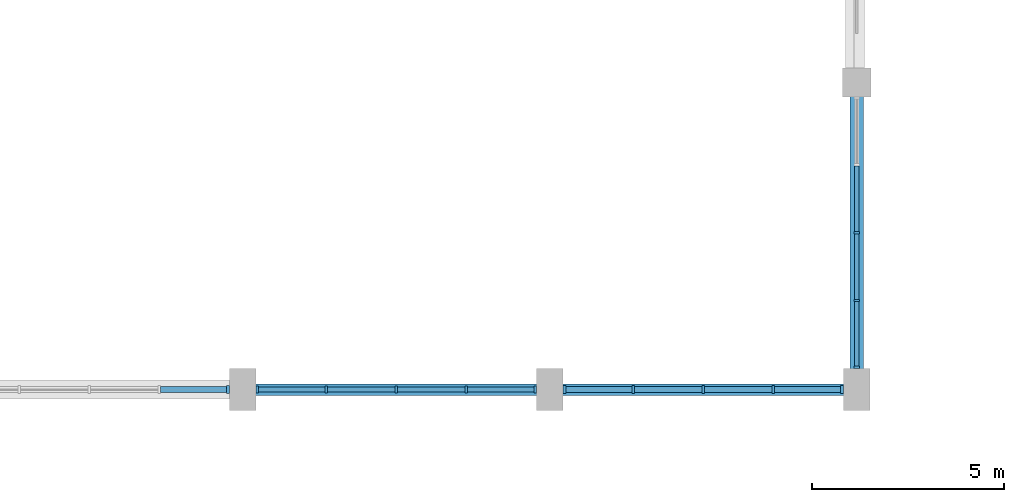
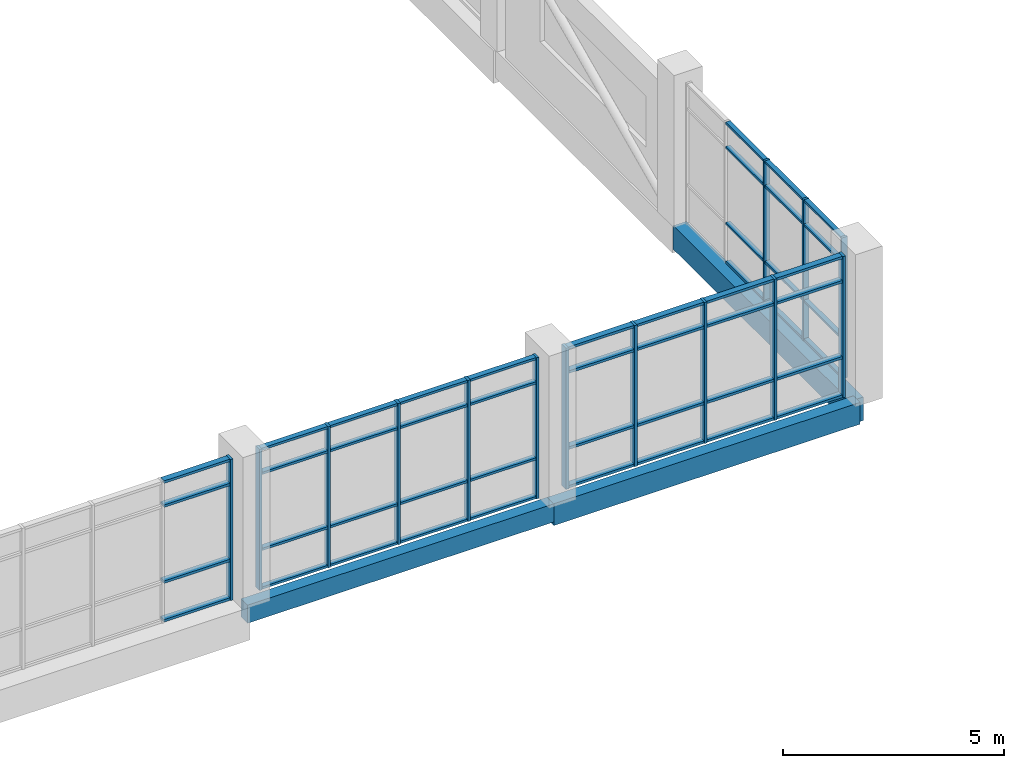
# One storey, part 5 of 72: 62 members, 3 beams, 4 elements without a shape of their own.
"""IFC4 building model written with IfcOpenShell, lengths in metres."""

from ifc_helpers import new_model, si_unit, direction, frame, origin, origin_2d, place, context, subcontext, project, spatial, rectangle, extrude, material, material_profile, profile_set, type_object, element, aggregate, save


model = new_model("IFC4")

# Units and contexts
model_context = context("Model", 3, precision=1e-05, world=origin(), true_north=direction((0.0, 1.0)))
body_context = subcontext(model_context, "Body", "Model", "MODEL_VIEW")
ifc_project = project(units=[si_unit("LENGTHUNIT", "METRE"), si_unit("AREAUNIT", "SQUARE_METRE"), si_unit("VOLUMEUNIT", "CUBIC_METRE"), si_unit("PLANEANGLEUNIT", "RADIAN"), si_unit("MASSUNIT", "GRAM", prefix="KILO")], contexts=[model_context])

# Site, building, storey
site_placement = place(None, origin())
site = spatial("IfcSite", under=ifc_project, at=site_placement, CompositionType="ELEMENT")
building_placement = place(site_placement, origin())
building = spatial("IfcBuilding", under=site, at=building_placement, Name="Tenunan Teduh Sports Hall", CompositionType="ELEMENT")
storey_placement = place(building_placement, frame((0.0, 0.0, 15.0)))
storey = spatial("IfcBuildingStorey", under=building, at=storey_placement, Name="L03", CompositionType="ELEMENT", Elevation=15.0)

# Beams
ifc_material_1 = material(Name="Concrete C40/50", Category="concrete")
ifc_material_profile_1 = material_profile(ifc_material_1, rectangle(XDim=0.300048828125, YDim=0.5, at=origin_2d()), Name="RCB 300x500")
ifc_profile_set_1 = profile_set([ifc_material_profile_1], Name="Concrete C40/50")
beam_type_1 = type_object("IfcBeamType", Name="BM-RC-300x500", PredefinedType="BEAM", material=ifc_profile_set_1)
beam_1_placement = place(storey_placement, frame((38.0, 14.0, -0.489990234375), z_axis=(1.0, 0.0, 0.0), x_axis=(0.0, 1.0, 0.0)))
element("IfcBeam", 1, at=beam_1_placement, inside=storey, type_object=beam_type_1, Name="BM-B-01-L03-1814", PredefinedType="BEAM", context=body_context, shape_type="SweptSolid", body=[
    extrude(rectangle(XDim=0.300048828125, YDim=0.5, at=origin_2d()), origin(), (0.0, 0.0, 1.0), 8.0),
])
ifc_material_2 = material(Name="Concrete C40/50", Category="concrete")
ifc_material_profile_2 = material_profile(ifc_material_2, rectangle(XDim=0.300048828125, YDim=0.60009765625, at=origin_2d()), Name="RCB 300x600")
ifc_profile_set_2 = profile_set([ifc_material_profile_2], Name="Concrete C40/50")
beam_type_2 = type_object("IfcBeamType", Name="BM-RC-300x600", PredefinedType="BEAM", material=ifc_profile_set_2)
beam_2_placement = place(storey_placement, frame((46.0, 14.0, -0.5400390625), z_axis=(1.0, 0.0, 0.0), x_axis=(0.0, 1.0, 0.0)))
element("IfcBeam", 2, at=beam_2_placement, inside=storey, type_object=beam_type_2, Name="BM-B-03-L03-1815", PredefinedType="BEAM", context=body_context, shape_type="SweptSolid", body=[
    extrude(rectangle(XDim=0.300048828125, YDim=0.60009765625, at=origin_2d()), origin(), (0.0, 0.0, 1.0), 8.0),
])
ifc_material_3 = material(Name="Concrete C40/50", Category="concrete")
ifc_material_profile_3 = material_profile(ifc_material_3, rectangle(XDim=0.35009765625, YDim=0.64990234375, at=origin_2d()), Name="RCB 350x650")
ifc_profile_set_3 = profile_set([ifc_material_profile_3], Name="Concrete C40/50")
beam_type_3 = type_object("IfcBeamType", Name="BM-RC-350x650", PredefinedType="BEAM", material=ifc_profile_set_3)
beam_3_placement = place(storey_placement, frame((54.0, 14.0, -0.56494140625), z_axis=(0.0, 1.0, 0.0), x_axis=(-1.0, 0.0, 0.0)))
element("IfcBeam", 3, at=beam_3_placement, inside=storey, type_object=beam_type_3, Name="BM-B-05-L03-1918", PredefinedType="BEAM", context=body_context, shape_type="SweptSolid", body=[
    extrude(rectangle(XDim=0.35009765625, YDim=0.64990234375, at=origin_2d()), origin(), (0.0, 0.0, 1.0), 8.0),
])

# Curtain wall, members
ifc_material_4 = material(Name="Anodised aluminium", Category="aluminium")
curtain_wall_type = type_object("IfcCurtainWallType", Name="CW-UNIT-2", PredefinedType="NOTDEFINED", material=ifc_material_4)
curtain_wall_1_placement = place(storey_placement, origin())
curtain_wall_1 = element("IfcCurtainWall", 4, at=curtain_wall_1_placement, inside=storey, type_object=curtain_wall_type, Name="CW-CWM-150-L03-087", PredefinedType="NOTDEFINED")
ifc_material_5 = material(Name="Anodised aluminium", Category="aluminium")
ifc_material_profile_4 = material_profile(ifc_material_5, rectangle(XDim=0.06005859375, YDim=0.14990234375, at=origin_2d()), Name="CWM 60x150")
ifc_profile_set_4 = profile_set([ifc_material_profile_4], Name="Anodised aluminium")
member_type_1 = type_object("IfcMemberType", Name="CWM-150", PredefinedType="MULLION", material=ifc_profile_set_4)
member_1_placement = place(storey_placement, frame((54.0, 14.580078125, 0.0), z_axis=(0.0, 0.0, 1.0), x_axis=(0.0, 1.0, 0.0)))
member_1 = element("IfcMember", 5, at=member_1_placement, type_object=member_type_1, Name="CW-02 mullion 1", PredefinedType="MULLION", context=body_context, shape_type="SweptSolid", body=[
    extrude(rectangle(XDim=0.06005859375, YDim=0.14990234375, at=origin_2d()), origin(), (0.0, 0.0, 1.0), 3.89990234375),
])
member_2_placement = place(storey_placement, frame((54.0, 16.31884765625, 0.0), z_axis=(0.0, 0.0, 1.0), x_axis=(0.0, 1.0, 0.0)))
member_2 = element("IfcMember", 6, at=member_2_placement, type_object=member_type_1, Name="CW-02 mullion 2", PredefinedType="MULLION", context=body_context, shape_type="SweptSolid", body=[
    extrude(rectangle(XDim=0.06005859375, YDim=0.14990234375, at=origin_2d()), origin(), (0.0, 0.0, 1.0), 3.89990234375),
])
member_3_placement = place(storey_placement, frame((54.0, 18.08740234375, 0.0), z_axis=(0.0, 0.0, 1.0), x_axis=(0.0, 1.0, 0.0)))
member_3 = element("IfcMember", 7, at=member_3_placement, type_object=member_type_1, Name="CW-02 mullion 3", PredefinedType="MULLION", context=body_context, shape_type="SweptSolid", body=[
    extrude(rectangle(XDim=0.06005859375, YDim=0.14990234375, at=origin_2d()), origin(), (0.0, 0.0, 1.0), 3.89990234375),
])

curtain_wall_2_placement = place(storey_placement, origin())
curtain_wall_2 = element("IfcCurtainWall", 8, at=curtain_wall_2_placement, inside=storey, type_object=curtain_wall_type, Name="CW-CWM-175-L03-082", PredefinedType="NOTDEFINED")
ifc_material_6 = material(Name="Anodised aluminium", Category="aluminium")
ifc_material_profile_5 = material_profile(ifc_material_6, rectangle(XDim=0.06494140625, YDim=0.175048828125, at=origin_2d()), Name="CWM 65x175")
ifc_profile_set_5 = profile_set([ifc_material_profile_5], Name="Anodised aluminium")
member_type_2 = type_object("IfcMemberType", Name="CWM-175", PredefinedType="MULLION", material=ifc_profile_set_5)
member_4_placement = place(storey_placement, frame((38.382568359375, 14.0, 0.0), z_axis=(0.0, 0.0, 1.0), x_axis=(1.0, 0.0, 0.0)))
member_4 = element("IfcMember", 9, at=member_4_placement, type_object=member_type_2, Name="CW-02 mullion 1", PredefinedType="MULLION", context=body_context, shape_type="SweptSolid", body=[
    extrude(rectangle(XDim=0.06494140625, YDim=0.175048828125, at=origin_2d()), origin(), (0.0, 0.0, 1.0), 3.89990234375),
])
member_5_placement = place(storey_placement, frame((40.175048828125, 14.0, 0.0), z_axis=(0.0, 0.0, 1.0), x_axis=(1.0, 0.0, 0.0)))
member_5 = element("IfcMember", 10, at=member_5_placement, type_object=member_type_2, Name="CW-02 mullion 2", PredefinedType="MULLION", context=body_context, shape_type="SweptSolid", body=[
    extrude(rectangle(XDim=0.06494140625, YDim=0.175048828125, at=origin_2d()), origin(), (0.0, 0.0, 1.0), 3.89990234375),
])
member_6_placement = place(storey_placement, frame((42.0, 14.0, 0.0), z_axis=(0.0, 0.0, 1.0), x_axis=(1.0, 0.0, 0.0)))
member_6 = element("IfcMember", 11, at=member_6_placement, type_object=member_type_2, Name="CW-02 mullion 3", PredefinedType="MULLION", context=body_context, shape_type="SweptSolid", body=[
    extrude(rectangle(XDim=0.06494140625, YDim=0.175048828125, at=origin_2d()), origin(), (0.0, 0.0, 1.0), 3.89990234375),
])
member_7_placement = place(storey_placement, frame((43.824951171875, 14.0, 0.0), z_axis=(0.0, 0.0, 1.0), x_axis=(1.0, 0.0, 0.0)))
member_7 = element("IfcMember", 12, at=member_7_placement, type_object=member_type_2, Name="CW-02 mullion 4", PredefinedType="MULLION", context=body_context, shape_type="SweptSolid", body=[
    extrude(rectangle(XDim=0.06494140625, YDim=0.175048828125, at=origin_2d()), origin(), (0.0, 0.0, 1.0), 3.89990234375),
])
member_8_placement = place(storey_placement, frame((45.617431640625, 14.0, 0.0), z_axis=(0.0, 0.0, 1.0), x_axis=(1.0, 0.0, 0.0)))
member_8 = element("IfcMember", 13, at=member_8_placement, type_object=member_type_2, Name="CW-02 mullion 5", PredefinedType="MULLION", context=body_context, shape_type="SweptSolid", body=[
    extrude(rectangle(XDim=0.06494140625, YDim=0.175048828125, at=origin_2d()), origin(), (0.0, 0.0, 1.0), 3.89990234375),
])

# Curtain wall, member
curtain_wall_3_placement = place(storey_placement, origin())
curtain_wall_3 = element("IfcCurtainWall", 14, at=curtain_wall_3_placement, inside=storey, type_object=curtain_wall_type, Name="CW-CWM-200-L03-080", PredefinedType="NOTDEFINED")
ifc_material_7 = material(Name="Anodised aluminium", Category="aluminium")
ifc_material_profile_6 = material_profile(ifc_material_7, rectangle(XDim=0.070068359375, YDim=0.199951171875, at=origin_2d()), Name="CWM 70x200")
ifc_profile_set_6 = profile_set([ifc_material_profile_6], Name="Anodised aluminium")
member_type_3 = type_object("IfcMemberType", Name="CWM-200", PredefinedType="MULLION", material=ifc_profile_set_6)
member_9_placement = place(storey_placement, frame((37.614990234375, 14.0, 0.0), z_axis=(0.0, 0.0, 1.0), x_axis=(1.0, 0.0, 0.0)))
member_9 = element("IfcMember", 15, at=member_9_placement, type_object=member_type_3, Name="CW-02 mullion 5", PredefinedType="MULLION", context=body_context, shape_type="SweptSolid", body=[
    extrude(rectangle(XDim=0.070068359375, YDim=0.199951171875, at=origin_2d()), origin(), (0.0, 0.0, 1.0), 3.89990234375),
])

# Curtain wall, members
curtain_wall_4_placement = place(storey_placement, origin())
curtain_wall_4 = element("IfcCurtainWall", 16, at=curtain_wall_4_placement, inside=storey, type_object=curtain_wall_type, Name="CW-CWM-200-L03-084", PredefinedType="NOTDEFINED")
member_10_placement = place(storey_placement, frame((46.385009765625, 14.0, 0.0), z_axis=(0.0, 0.0, 1.0), x_axis=(1.0, 0.0, 0.0)))
member_10 = element("IfcMember", 17, at=member_10_placement, type_object=member_type_3, Name="CW-02 mullion 1", PredefinedType="MULLION", context=body_context, shape_type="SweptSolid", body=[
    extrude(rectangle(XDim=0.070068359375, YDim=0.199951171875, at=origin_2d()), origin(), (0.0, 0.0, 1.0), 3.89990234375),
])
member_11_placement = place(storey_placement, frame((48.175048828125, 14.0, 0.0), z_axis=(0.0, 0.0, 1.0), x_axis=(1.0, 0.0, 0.0)))
member_11 = element("IfcMember", 18, at=member_11_placement, type_object=member_type_3, Name="CW-02 mullion 2", PredefinedType="MULLION", context=body_context, shape_type="SweptSolid", body=[
    extrude(rectangle(XDim=0.070068359375, YDim=0.199951171875, at=origin_2d()), origin(), (0.0, 0.0, 1.0), 3.89990234375),
])
member_12_placement = place(storey_placement, frame((50.0, 14.0, 0.0), z_axis=(0.0, 0.0, 1.0), x_axis=(1.0, 0.0, 0.0)))
member_12 = element("IfcMember", 19, at=member_12_placement, type_object=member_type_3, Name="CW-02 mullion 3", PredefinedType="MULLION", context=body_context, shape_type="SweptSolid", body=[
    extrude(rectangle(XDim=0.070068359375, YDim=0.199951171875, at=origin_2d()), origin(), (0.0, 0.0, 1.0), 3.89990234375),
])
member_13_placement = place(storey_placement, frame((51.824951171875, 14.0, 0.0), z_axis=(0.0, 0.0, 1.0), x_axis=(1.0, 0.0, 0.0)))
member_13 = element("IfcMember", 20, at=member_13_placement, type_object=member_type_3, Name="CW-02 mullion 4", PredefinedType="MULLION", context=body_context, shape_type="SweptSolid", body=[
    extrude(rectangle(XDim=0.070068359375, YDim=0.199951171875, at=origin_2d()), origin(), (0.0, 0.0, 1.0), 3.89990234375),
])
member_14_placement = place(storey_placement, frame((53.614990234375, 14.0, 0.0), z_axis=(0.0, 0.0, 1.0), x_axis=(1.0, 0.0, 0.0)))
member_14 = element("IfcMember", 21, at=member_14_placement, type_object=member_type_3, Name="CW-02 mullion 5", PredefinedType="MULLION", context=body_context, shape_type="SweptSolid", body=[
    extrude(rectangle(XDim=0.070068359375, YDim=0.199951171875, at=origin_2d()), origin(), (0.0, 0.0, 1.0), 3.89990234375),
])

# Member
ifc_material_8 = material(Name="Anodised aluminium", Category="aluminium")
ifc_material_profile_7 = material_profile(ifc_material_8, rectangle(XDim=0.06005859375, YDim=0.1201171875, at=origin_2d()), Name="CWT 60x120")
ifc_profile_set_7 = profile_set([ifc_material_profile_7], Name="Anodised aluminium")
member_type_4 = type_object("IfcMemberType", Name="CWT-125", PredefinedType="USERDEFINED", material=ifc_profile_set_7)
member_15_placement = place(storey_placement, frame((54.0, 14.610107421875, 0.030029296875), z_axis=(0.0, 1.0, 0.0), x_axis=(0.0, 0.0, 1.0)))
member_15 = element("IfcMember", 22, at=member_15_placement, type_object=member_type_4, Name="CW-02 transom 1.1", ObjectType="TRANSOM", PredefinedType="USERDEFINED", context=body_context, shape_type="SweptSolid", body=[
    extrude(rectangle(XDim=0.06005859375, YDim=0.1201171875, at=origin_2d()), origin(), (0.0, 0.0, 1.0), 1.6787109375),
])

member_16_placement = place(storey_placement, frame((54.0, 14.610107421875, 1.10009765625), z_axis=(0.0, 1.0, 0.0), x_axis=(0.0, 0.0, 1.0)))
member_16 = element("IfcMember", 23, at=member_16_placement, type_object=member_type_4, Name="CW-02 transom 1.2", ObjectType="TRANSOM", PredefinedType="USERDEFINED", context=body_context, shape_type="SweptSolid", body=[
    extrude(rectangle(XDim=0.06005859375, YDim=0.1201171875, at=origin_2d()), origin(), (0.0, 0.0, 1.0), 1.6787109375),
])

member_17_placement = place(storey_placement, frame((54.0, 14.610107421875, 3.199951171875), z_axis=(0.0, 1.0, 0.0), x_axis=(0.0, 0.0, 1.0)))
member_17 = element("IfcMember", 24, at=member_17_placement, type_object=member_type_4, Name="CW-02 transom 1.3", ObjectType="TRANSOM", PredefinedType="USERDEFINED", context=body_context, shape_type="SweptSolid", body=[
    extrude(rectangle(XDim=0.06005859375, YDim=0.1201171875, at=origin_2d()), origin(), (0.0, 0.0, 1.0), 1.6787109375),
])

member_18_placement = place(storey_placement, frame((54.0, 14.610107421875, 3.8701171875), z_axis=(0.0, 1.0, 0.0), x_axis=(0.0, 0.0, 1.0)))
member_18 = element("IfcMember", 25, at=member_18_placement, type_object=member_type_4, Name="CW-02 transom 1.4", ObjectType="TRANSOM", PredefinedType="USERDEFINED", context=body_context, shape_type="SweptSolid", body=[
    extrude(rectangle(XDim=0.06005859375, YDim=0.1201171875, at=origin_2d()), origin(), (0.0, 0.0, 1.0), 1.6787109375),
])

member_19_placement = place(storey_placement, frame((54.0, 16.3486328125, 0.030029296875), z_axis=(0.0, 1.0, 0.0), x_axis=(0.0, 0.0, 1.0)))
member_19 = element("IfcMember", 26, at=member_19_placement, type_object=member_type_4, Name="CW-02 transom 2.1", ObjectType="TRANSOM", PredefinedType="USERDEFINED", context=body_context, shape_type="SweptSolid", body=[
    extrude(rectangle(XDim=0.06005859375, YDim=0.1201171875, at=origin_2d()), origin(), (0.0, 0.0, 1.0), 1.708984375),
])

member_20_placement = place(storey_placement, frame((54.0, 16.3486328125, 1.10009765625), z_axis=(0.0, 1.0, 0.0), x_axis=(0.0, 0.0, 1.0)))
member_20 = element("IfcMember", 27, at=member_20_placement, type_object=member_type_4, Name="CW-02 transom 2.2", ObjectType="TRANSOM", PredefinedType="USERDEFINED", context=body_context, shape_type="SweptSolid", body=[
    extrude(rectangle(XDim=0.06005859375, YDim=0.1201171875, at=origin_2d()), origin(), (0.0, 0.0, 1.0), 1.708984375),
])

member_21_placement = place(storey_placement, frame((54.0, 16.3486328125, 3.199951171875), z_axis=(0.0, 1.0, 0.0), x_axis=(0.0, 0.0, 1.0)))
member_21 = element("IfcMember", 28, at=member_21_placement, type_object=member_type_4, Name="CW-02 transom 2.3", ObjectType="TRANSOM", PredefinedType="USERDEFINED", context=body_context, shape_type="SweptSolid", body=[
    extrude(rectangle(XDim=0.06005859375, YDim=0.1201171875, at=origin_2d()), origin(), (0.0, 0.0, 1.0), 1.708984375),
])

member_22_placement = place(storey_placement, frame((54.0, 16.3486328125, 3.8701171875), z_axis=(0.0, 1.0, 0.0), x_axis=(0.0, 0.0, 1.0)))
member_22 = element("IfcMember", 29, at=member_22_placement, type_object=member_type_4, Name="CW-02 transom 2.4", ObjectType="TRANSOM", PredefinedType="USERDEFINED", context=body_context, shape_type="SweptSolid", body=[
    extrude(rectangle(XDim=0.06005859375, YDim=0.1201171875, at=origin_2d()), origin(), (0.0, 0.0, 1.0), 1.708984375),
])

member_23_placement = place(storey_placement, frame((54.0, 18.117431640625, 0.030029296875), z_axis=(0.0, 1.0, 0.0), x_axis=(0.0, 0.0, 1.0)))
member_23 = element("IfcMember", 30, at=member_23_placement, type_object=member_type_4, Name="CW-02 transom 3.1", ObjectType="TRANSOM", PredefinedType="USERDEFINED", context=body_context, shape_type="SweptSolid", body=[
    extrude(rectangle(XDim=0.06005859375, YDim=0.1201171875, at=origin_2d()), origin(), (0.0, 0.0, 1.0), 1.708740234375),
])

member_24_placement = place(storey_placement, frame((54.0, 18.117431640625, 1.10009765625), z_axis=(0.0, 1.0, 0.0), x_axis=(0.0, 0.0, 1.0)))
member_24 = element("IfcMember", 31, at=member_24_placement, type_object=member_type_4, Name="CW-02 transom 3.2", ObjectType="TRANSOM", PredefinedType="USERDEFINED", context=body_context, shape_type="SweptSolid", body=[
    extrude(rectangle(XDim=0.06005859375, YDim=0.1201171875, at=origin_2d()), origin(), (0.0, 0.0, 1.0), 1.708740234375),
])

member_25_placement = place(storey_placement, frame((54.0, 18.117431640625, 3.199951171875), z_axis=(0.0, 1.0, 0.0), x_axis=(0.0, 0.0, 1.0)))
member_25 = element("IfcMember", 32, at=member_25_placement, type_object=member_type_4, Name="CW-02 transom 3.3", ObjectType="TRANSOM", PredefinedType="USERDEFINED", context=body_context, shape_type="SweptSolid", body=[
    extrude(rectangle(XDim=0.06005859375, YDim=0.1201171875, at=origin_2d()), origin(), (0.0, 0.0, 1.0), 1.708740234375),
])

member_26_placement = place(storey_placement, frame((54.0, 18.117431640625, 3.8701171875), z_axis=(0.0, 1.0, 0.0), x_axis=(0.0, 0.0, 1.0)))
member_26 = element("IfcMember", 33, at=member_26_placement, type_object=member_type_4, Name="CW-02 transom 3.4", ObjectType="TRANSOM", PredefinedType="USERDEFINED", context=body_context, shape_type="SweptSolid", body=[
    extrude(rectangle(XDim=0.06005859375, YDim=0.1201171875, at=origin_2d()), origin(), (0.0, 0.0, 1.0), 1.708740234375),
])

aggregate(curtain_wall_1, [member_1, member_2, member_3, member_15, member_16, member_17, member_18, member_19, member_20, member_21, member_22, member_23, member_24, member_25, member_26])

ifc_material_9 = material(Name="Anodised aluminium", Category="aluminium")
ifc_material_profile_8 = material_profile(ifc_material_9, rectangle(XDim=0.06494140625, YDim=0.139892578125, at=origin_2d()), Name="CWT 65x140")
ifc_profile_set_8 = profile_set([ifc_material_profile_8], Name="Anodised aluminium")
member_type_5 = type_object("IfcMemberType", Name="CWT-150", PredefinedType="USERDEFINED", material=ifc_profile_set_8)
member_27_placement = place(storey_placement, frame((38.4150390625, 14.0, 0.032470703125), z_axis=(1.0, 0.0, 0.0), x_axis=(0.0, 0.0, 1.0)))
member_27 = element("IfcMember", 34, at=member_27_placement, type_object=member_type_5, Name="CW-02 transom 1.1", ObjectType="TRANSOM", PredefinedType="USERDEFINED", context=body_context, shape_type="SweptSolid", body=[
    extrude(rectangle(XDim=0.06494140625, YDim=0.139892578125, at=origin_2d()), origin(), (0.0, 0.0, 1.0), 1.7275390625),
])

member_28_placement = place(storey_placement, frame((38.4150390625, 14.0, 1.10009765625), z_axis=(1.0, 0.0, 0.0), x_axis=(0.0, 0.0, 1.0)))
member_28 = element("IfcMember", 35, at=member_28_placement, type_object=member_type_5, Name="CW-02 transom 1.2", ObjectType="TRANSOM", PredefinedType="USERDEFINED", context=body_context, shape_type="SweptSolid", body=[
    extrude(rectangle(XDim=0.06494140625, YDim=0.139892578125, at=origin_2d()), origin(), (0.0, 0.0, 1.0), 1.7275390625),
])

member_29_placement = place(storey_placement, frame((38.4150390625, 14.0, 3.199951171875), z_axis=(1.0, 0.0, 0.0), x_axis=(0.0, 0.0, 1.0)))
member_29 = element("IfcMember", 36, at=member_29_placement, type_object=member_type_5, Name="CW-02 transom 1.3", ObjectType="TRANSOM", PredefinedType="USERDEFINED", context=body_context, shape_type="SweptSolid", body=[
    extrude(rectangle(XDim=0.06494140625, YDim=0.139892578125, at=origin_2d()), origin(), (0.0, 0.0, 1.0), 1.7275390625),
])

member_30_placement = place(storey_placement, frame((38.4150390625, 14.0, 3.867431640625), z_axis=(1.0, 0.0, 0.0), x_axis=(0.0, 0.0, 1.0)))
member_30 = element("IfcMember", 37, at=member_30_placement, type_object=member_type_5, Name="CW-02 transom 1.4", ObjectType="TRANSOM", PredefinedType="USERDEFINED", context=body_context, shape_type="SweptSolid", body=[
    extrude(rectangle(XDim=0.06494140625, YDim=0.139892578125, at=origin_2d()), origin(), (0.0, 0.0, 1.0), 1.7275390625),
])

member_31_placement = place(storey_placement, frame((40.20751953125, 14.0, 0.032470703125), z_axis=(1.0, 0.0, 0.0), x_axis=(0.0, 0.0, 1.0)))
member_31 = element("IfcMember", 38, at=member_31_placement, type_object=member_type_5, Name="CW-02 transom 2.1", ObjectType="TRANSOM", PredefinedType="USERDEFINED", context=body_context, shape_type="SweptSolid", body=[
    extrude(rectangle(XDim=0.06494140625, YDim=0.139892578125, at=origin_2d()), origin(), (0.0, 0.0, 1.0), 1.760009765625),
])

member_32_placement = place(storey_placement, frame((40.20751953125, 14.0, 1.10009765625), z_axis=(1.0, 0.0, 0.0), x_axis=(0.0, 0.0, 1.0)))
member_32 = element("IfcMember", 39, at=member_32_placement, type_object=member_type_5, Name="CW-02 transom 2.2", ObjectType="TRANSOM", PredefinedType="USERDEFINED", context=body_context, shape_type="SweptSolid", body=[
    extrude(rectangle(XDim=0.06494140625, YDim=0.139892578125, at=origin_2d()), origin(), (0.0, 0.0, 1.0), 1.760009765625),
])

member_33_placement = place(storey_placement, frame((40.20751953125, 14.0, 3.199951171875), z_axis=(1.0, 0.0, 0.0), x_axis=(0.0, 0.0, 1.0)))
member_33 = element("IfcMember", 40, at=member_33_placement, type_object=member_type_5, Name="CW-02 transom 2.3", ObjectType="TRANSOM", PredefinedType="USERDEFINED", context=body_context, shape_type="SweptSolid", body=[
    extrude(rectangle(XDim=0.06494140625, YDim=0.139892578125, at=origin_2d()), origin(), (0.0, 0.0, 1.0), 1.760009765625),
])

member_34_placement = place(storey_placement, frame((40.20751953125, 14.0, 3.867431640625), z_axis=(1.0, 0.0, 0.0), x_axis=(0.0, 0.0, 1.0)))
member_34 = element("IfcMember", 41, at=member_34_placement, type_object=member_type_5, Name="CW-02 transom 2.4", ObjectType="TRANSOM", PredefinedType="USERDEFINED", context=body_context, shape_type="SweptSolid", body=[
    extrude(rectangle(XDim=0.06494140625, YDim=0.139892578125, at=origin_2d()), origin(), (0.0, 0.0, 1.0), 1.760009765625),
])

member_35_placement = place(storey_placement, frame((42.032470703125, 14.0, 0.032470703125), z_axis=(1.0, 0.0, 0.0), x_axis=(0.0, 0.0, 1.0)))
member_35 = element("IfcMember", 42, at=member_35_placement, type_object=member_type_5, Name="CW-02 transom 3.1", ObjectType="TRANSOM", PredefinedType="USERDEFINED", context=body_context, shape_type="SweptSolid", body=[
    extrude(rectangle(XDim=0.06494140625, YDim=0.139892578125, at=origin_2d()), origin(), (0.0, 0.0, 1.0), 1.760009765625),
])

member_36_placement = place(storey_placement, frame((42.032470703125, 14.0, 1.10009765625), z_axis=(1.0, 0.0, 0.0), x_axis=(0.0, 0.0, 1.0)))
member_36 = element("IfcMember", 43, at=member_36_placement, type_object=member_type_5, Name="CW-02 transom 3.2", ObjectType="TRANSOM", PredefinedType="USERDEFINED", context=body_context, shape_type="SweptSolid", body=[
    extrude(rectangle(XDim=0.06494140625, YDim=0.139892578125, at=origin_2d()), origin(), (0.0, 0.0, 1.0), 1.760009765625),
])

member_37_placement = place(storey_placement, frame((42.032470703125, 14.0, 3.199951171875), z_axis=(1.0, 0.0, 0.0), x_axis=(0.0, 0.0, 1.0)))
member_37 = element("IfcMember", 44, at=member_37_placement, type_object=member_type_5, Name="CW-02 transom 3.3", ObjectType="TRANSOM", PredefinedType="USERDEFINED", context=body_context, shape_type="SweptSolid", body=[
    extrude(rectangle(XDim=0.06494140625, YDim=0.139892578125, at=origin_2d()), origin(), (0.0, 0.0, 1.0), 1.760009765625),
])

member_38_placement = place(storey_placement, frame((42.032470703125, 14.0, 3.867431640625), z_axis=(1.0, 0.0, 0.0), x_axis=(0.0, 0.0, 1.0)))
member_38 = element("IfcMember", 45, at=member_38_placement, type_object=member_type_5, Name="CW-02 transom 3.4", ObjectType="TRANSOM", PredefinedType="USERDEFINED", context=body_context, shape_type="SweptSolid", body=[
    extrude(rectangle(XDim=0.06494140625, YDim=0.139892578125, at=origin_2d()), origin(), (0.0, 0.0, 1.0), 1.760009765625),
])

member_39_placement = place(storey_placement, frame((43.857421875, 14.0, 0.032470703125), z_axis=(1.0, 0.0, 0.0), x_axis=(0.0, 0.0, 1.0)))
member_39 = element("IfcMember", 46, at=member_39_placement, type_object=member_type_5, Name="CW-02 transom 4.1", ObjectType="TRANSOM", PredefinedType="USERDEFINED", context=body_context, shape_type="SweptSolid", body=[
    extrude(rectangle(XDim=0.06494140625, YDim=0.139892578125, at=origin_2d()), origin(), (0.0, 0.0, 1.0), 1.7275390625),
])

member_40_placement = place(storey_placement, frame((43.857421875, 14.0, 1.10009765625), z_axis=(1.0, 0.0, 0.0), x_axis=(0.0, 0.0, 1.0)))
member_40 = element("IfcMember", 47, at=member_40_placement, type_object=member_type_5, Name="CW-02 transom 4.2", ObjectType="TRANSOM", PredefinedType="USERDEFINED", context=body_context, shape_type="SweptSolid", body=[
    extrude(rectangle(XDim=0.06494140625, YDim=0.139892578125, at=origin_2d()), origin(), (0.0, 0.0, 1.0), 1.7275390625),
])

member_41_placement = place(storey_placement, frame((43.857421875, 14.0, 3.199951171875), z_axis=(1.0, 0.0, 0.0), x_axis=(0.0, 0.0, 1.0)))
member_41 = element("IfcMember", 48, at=member_41_placement, type_object=member_type_5, Name="CW-02 transom 4.3", ObjectType="TRANSOM", PredefinedType="USERDEFINED", context=body_context, shape_type="SweptSolid", body=[
    extrude(rectangle(XDim=0.06494140625, YDim=0.139892578125, at=origin_2d()), origin(), (0.0, 0.0, 1.0), 1.7275390625),
])

member_42_placement = place(storey_placement, frame((43.857421875, 14.0, 3.867431640625), z_axis=(1.0, 0.0, 0.0), x_axis=(0.0, 0.0, 1.0)))
member_42 = element("IfcMember", 49, at=member_42_placement, type_object=member_type_5, Name="CW-02 transom 4.4", ObjectType="TRANSOM", PredefinedType="USERDEFINED", context=body_context, shape_type="SweptSolid", body=[
    extrude(rectangle(XDim=0.06494140625, YDim=0.139892578125, at=origin_2d()), origin(), (0.0, 0.0, 1.0), 1.7275390625),
])

aggregate(curtain_wall_2, [member_4, member_5, member_6, member_7, member_8, member_27, member_28, member_29, member_30, member_31, member_32, member_33, member_34, member_35, member_36, member_37, member_38, member_39, member_40, member_41, member_42])

ifc_material_10 = material(Name="Anodised aluminium", Category="aluminium")
ifc_material_profile_9 = material_profile(ifc_material_10, rectangle(XDim=0.070068359375, YDim=0.159912109375, at=origin_2d()), Name="CWT 70x160")
ifc_profile_set_9 = profile_set([ifc_material_profile_9], Name="Anodised aluminium")
member_type_6 = type_object("IfcMemberType", Name="CWT-200", PredefinedType="USERDEFINED", material=ifc_profile_set_9)
member_43_placement = place(storey_placement, frame((35.860107421875, 14.0, 0.034912109375), z_axis=(1.0, 0.0, 0.0), x_axis=(0.0, 0.0, 1.0)))
member_43 = element("IfcMember", 50, at=member_43_placement, type_object=member_type_6, Name="CW-02 transom 4.1", ObjectType="TRANSOM", PredefinedType="USERDEFINED", context=body_context, shape_type="SweptSolid", body=[
    extrude(rectangle(XDim=0.070068359375, YDim=0.159912109375, at=origin_2d()), origin(), (0.0, 0.0, 1.0), 1.719970703125),
])

member_44_placement = place(storey_placement, frame((35.860107421875, 14.0, 1.10009765625), z_axis=(1.0, 0.0, 0.0), x_axis=(0.0, 0.0, 1.0)))
member_44 = element("IfcMember", 51, at=member_44_placement, type_object=member_type_6, Name="CW-02 transom 4.2", ObjectType="TRANSOM", PredefinedType="USERDEFINED", context=body_context, shape_type="SweptSolid", body=[
    extrude(rectangle(XDim=0.070068359375, YDim=0.159912109375, at=origin_2d()), origin(), (0.0, 0.0, 1.0), 1.719970703125),
])

member_45_placement = place(storey_placement, frame((35.860107421875, 14.0, 3.199951171875), z_axis=(1.0, 0.0, 0.0), x_axis=(0.0, 0.0, 1.0)))
member_45 = element("IfcMember", 52, at=member_45_placement, type_object=member_type_6, Name="CW-02 transom 4.3", ObjectType="TRANSOM", PredefinedType="USERDEFINED", context=body_context, shape_type="SweptSolid", body=[
    extrude(rectangle(XDim=0.070068359375, YDim=0.159912109375, at=origin_2d()), origin(), (0.0, 0.0, 1.0), 1.719970703125),
])

member_46_placement = place(storey_placement, frame((35.860107421875, 14.0, 3.864990234375), z_axis=(1.0, 0.0, 0.0), x_axis=(0.0, 0.0, 1.0)))
member_46 = element("IfcMember", 53, at=member_46_placement, type_object=member_type_6, Name="CW-02 transom 4.4", ObjectType="TRANSOM", PredefinedType="USERDEFINED", context=body_context, shape_type="SweptSolid", body=[
    extrude(rectangle(XDim=0.070068359375, YDim=0.159912109375, at=origin_2d()), origin(), (0.0, 0.0, 1.0), 1.719970703125),
])

aggregate(curtain_wall_3, [member_9, member_43, member_44, member_45, member_46])

member_47_placement = place(storey_placement, frame((46.419921875, 14.0, 0.034912109375), z_axis=(1.0, 0.0, 0.0), x_axis=(0.0, 0.0, 1.0)))
member_47 = element("IfcMember", 54, at=member_47_placement, type_object=member_type_6, Name="CW-02 transom 1.1", ObjectType="TRANSOM", PredefinedType="USERDEFINED", context=body_context, shape_type="SweptSolid", body=[
    extrude(rectangle(XDim=0.070068359375, YDim=0.159912109375, at=origin_2d()), origin(), (0.0, 0.0, 1.0), 1.719970703125),
])

member_48_placement = place(storey_placement, frame((46.419921875, 14.0, 1.10009765625), z_axis=(1.0, 0.0, 0.0), x_axis=(0.0, 0.0, 1.0)))
member_48 = element("IfcMember", 55, at=member_48_placement, type_object=member_type_6, Name="CW-02 transom 1.2", ObjectType="TRANSOM", PredefinedType="USERDEFINED", context=body_context, shape_type="SweptSolid", body=[
    extrude(rectangle(XDim=0.070068359375, YDim=0.159912109375, at=origin_2d()), origin(), (0.0, 0.0, 1.0), 1.719970703125),
])

member_49_placement = place(storey_placement, frame((46.419921875, 14.0, 3.199951171875), z_axis=(1.0, 0.0, 0.0), x_axis=(0.0, 0.0, 1.0)))
member_49 = element("IfcMember", 56, at=member_49_placement, type_object=member_type_6, Name="CW-02 transom 1.3", ObjectType="TRANSOM", PredefinedType="USERDEFINED", context=body_context, shape_type="SweptSolid", body=[
    extrude(rectangle(XDim=0.070068359375, YDim=0.159912109375, at=origin_2d()), origin(), (0.0, 0.0, 1.0), 1.719970703125),
])

member_50_placement = place(storey_placement, frame((46.419921875, 14.0, 3.864990234375), z_axis=(1.0, 0.0, 0.0), x_axis=(0.0, 0.0, 1.0)))
member_50 = element("IfcMember", 57, at=member_50_placement, type_object=member_type_6, Name="CW-02 transom 1.4", ObjectType="TRANSOM", PredefinedType="USERDEFINED", context=body_context, shape_type="SweptSolid", body=[
    extrude(rectangle(XDim=0.070068359375, YDim=0.159912109375, at=origin_2d()), origin(), (0.0, 0.0, 1.0), 1.719970703125),
])

member_51_placement = place(storey_placement, frame((48.2099609375, 14.0, 0.034912109375), z_axis=(1.0, 0.0, 0.0), x_axis=(0.0, 0.0, 1.0)))
member_51 = element("IfcMember", 58, at=member_51_placement, type_object=member_type_6, Name="CW-02 transom 2.1", ObjectType="TRANSOM", PredefinedType="USERDEFINED", context=body_context, shape_type="SweptSolid", body=[
    extrude(rectangle(XDim=0.070068359375, YDim=0.159912109375, at=origin_2d()), origin(), (0.0, 0.0, 1.0), 1.755126953125),
])

member_52_placement = place(storey_placement, frame((48.2099609375, 14.0, 1.10009765625), z_axis=(1.0, 0.0, 0.0), x_axis=(0.0, 0.0, 1.0)))
member_52 = element("IfcMember", 59, at=member_52_placement, type_object=member_type_6, Name="CW-02 transom 2.2", ObjectType="TRANSOM", PredefinedType="USERDEFINED", context=body_context, shape_type="SweptSolid", body=[
    extrude(rectangle(XDim=0.070068359375, YDim=0.159912109375, at=origin_2d()), origin(), (0.0, 0.0, 1.0), 1.755126953125),
])

member_53_placement = place(storey_placement, frame((48.2099609375, 14.0, 3.199951171875), z_axis=(1.0, 0.0, 0.0), x_axis=(0.0, 0.0, 1.0)))
member_53 = element("IfcMember", 60, at=member_53_placement, type_object=member_type_6, Name="CW-02 transom 2.3", ObjectType="TRANSOM", PredefinedType="USERDEFINED", context=body_context, shape_type="SweptSolid", body=[
    extrude(rectangle(XDim=0.070068359375, YDim=0.159912109375, at=origin_2d()), origin(), (0.0, 0.0, 1.0), 1.755126953125),
])

member_54_placement = place(storey_placement, frame((48.2099609375, 14.0, 3.864990234375), z_axis=(1.0, 0.0, 0.0), x_axis=(0.0, 0.0, 1.0)))
member_54 = element("IfcMember", 61, at=member_54_placement, type_object=member_type_6, Name="CW-02 transom 2.4", ObjectType="TRANSOM", PredefinedType="USERDEFINED", context=body_context, shape_type="SweptSolid", body=[
    extrude(rectangle(XDim=0.070068359375, YDim=0.159912109375, at=origin_2d()), origin(), (0.0, 0.0, 1.0), 1.755126953125),
])

member_55_placement = place(storey_placement, frame((50.034912109375, 14.0, 0.034912109375), z_axis=(1.0, 0.0, 0.0), x_axis=(0.0, 0.0, 1.0)))
member_55 = element("IfcMember", 62, at=member_55_placement, type_object=member_type_6, Name="CW-02 transom 3.1", ObjectType="TRANSOM", PredefinedType="USERDEFINED", context=body_context, shape_type="SweptSolid", body=[
    extrude(rectangle(XDim=0.070068359375, YDim=0.159912109375, at=origin_2d()), origin(), (0.0, 0.0, 1.0), 1.755126953125),
])

member_56_placement = place(storey_placement, frame((50.034912109375, 14.0, 1.10009765625), z_axis=(1.0, 0.0, 0.0), x_axis=(0.0, 0.0, 1.0)))
member_56 = element("IfcMember", 63, at=member_56_placement, type_object=member_type_6, Name="CW-02 transom 3.2", ObjectType="TRANSOM", PredefinedType="USERDEFINED", context=body_context, shape_type="SweptSolid", body=[
    extrude(rectangle(XDim=0.070068359375, YDim=0.159912109375, at=origin_2d()), origin(), (0.0, 0.0, 1.0), 1.755126953125),
])

member_57_placement = place(storey_placement, frame((50.034912109375, 14.0, 3.199951171875), z_axis=(1.0, 0.0, 0.0), x_axis=(0.0, 0.0, 1.0)))
member_57 = element("IfcMember", 64, at=member_57_placement, type_object=member_type_6, Name="CW-02 transom 3.3", ObjectType="TRANSOM", PredefinedType="USERDEFINED", context=body_context, shape_type="SweptSolid", body=[
    extrude(rectangle(XDim=0.070068359375, YDim=0.159912109375, at=origin_2d()), origin(), (0.0, 0.0, 1.0), 1.755126953125),
])

member_58_placement = place(storey_placement, frame((50.034912109375, 14.0, 3.864990234375), z_axis=(1.0, 0.0, 0.0), x_axis=(0.0, 0.0, 1.0)))
member_58 = element("IfcMember", 65, at=member_58_placement, type_object=member_type_6, Name="CW-02 transom 3.4", ObjectType="TRANSOM", PredefinedType="USERDEFINED", context=body_context, shape_type="SweptSolid", body=[
    extrude(rectangle(XDim=0.070068359375, YDim=0.159912109375, at=origin_2d()), origin(), (0.0, 0.0, 1.0), 1.755126953125),
])

member_59_placement = place(storey_placement, frame((51.860107421875, 14.0, 0.034912109375), z_axis=(1.0, 0.0, 0.0), x_axis=(0.0, 0.0, 1.0)))
member_59 = element("IfcMember", 66, at=member_59_placement, type_object=member_type_6, Name="CW-02 transom 4.1", ObjectType="TRANSOM", PredefinedType="USERDEFINED", context=body_context, shape_type="SweptSolid", body=[
    extrude(rectangle(XDim=0.070068359375, YDim=0.159912109375, at=origin_2d()), origin(), (0.0, 0.0, 1.0), 1.719970703125),
])

member_60_placement = place(storey_placement, frame((51.860107421875, 14.0, 1.10009765625), z_axis=(1.0, 0.0, 0.0), x_axis=(0.0, 0.0, 1.0)))
member_60 = element("IfcMember", 67, at=member_60_placement, type_object=member_type_6, Name="CW-02 transom 4.2", ObjectType="TRANSOM", PredefinedType="USERDEFINED", context=body_context, shape_type="SweptSolid", body=[
    extrude(rectangle(XDim=0.070068359375, YDim=0.159912109375, at=origin_2d()), origin(), (0.0, 0.0, 1.0), 1.719970703125),
])

member_61_placement = place(storey_placement, frame((51.860107421875, 14.0, 3.199951171875), z_axis=(1.0, 0.0, 0.0), x_axis=(0.0, 0.0, 1.0)))
member_61 = element("IfcMember", 68, at=member_61_placement, type_object=member_type_6, Name="CW-02 transom 4.3", ObjectType="TRANSOM", PredefinedType="USERDEFINED", context=body_context, shape_type="SweptSolid", body=[
    extrude(rectangle(XDim=0.070068359375, YDim=0.159912109375, at=origin_2d()), origin(), (0.0, 0.0, 1.0), 1.719970703125),
])

member_62_placement = place(storey_placement, frame((51.860107421875, 14.0, 3.864990234375), z_axis=(1.0, 0.0, 0.0), x_axis=(0.0, 0.0, 1.0)))
member_62 = element("IfcMember", 69, at=member_62_placement, type_object=member_type_6, Name="CW-02 transom 4.4", ObjectType="TRANSOM", PredefinedType="USERDEFINED", context=body_context, shape_type="SweptSolid", body=[
    extrude(rectangle(XDim=0.070068359375, YDim=0.159912109375, at=origin_2d()), origin(), (0.0, 0.0, 1.0), 1.719970703125),
])

aggregate(curtain_wall_4, [member_10, member_11, member_12, member_13, member_14, member_47, member_48, member_49, member_50, member_51, member_52, member_53, member_54, member_55, member_56, member_57, member_58, member_59, member_60, member_61, member_62])

save(model, "model.ifc")
